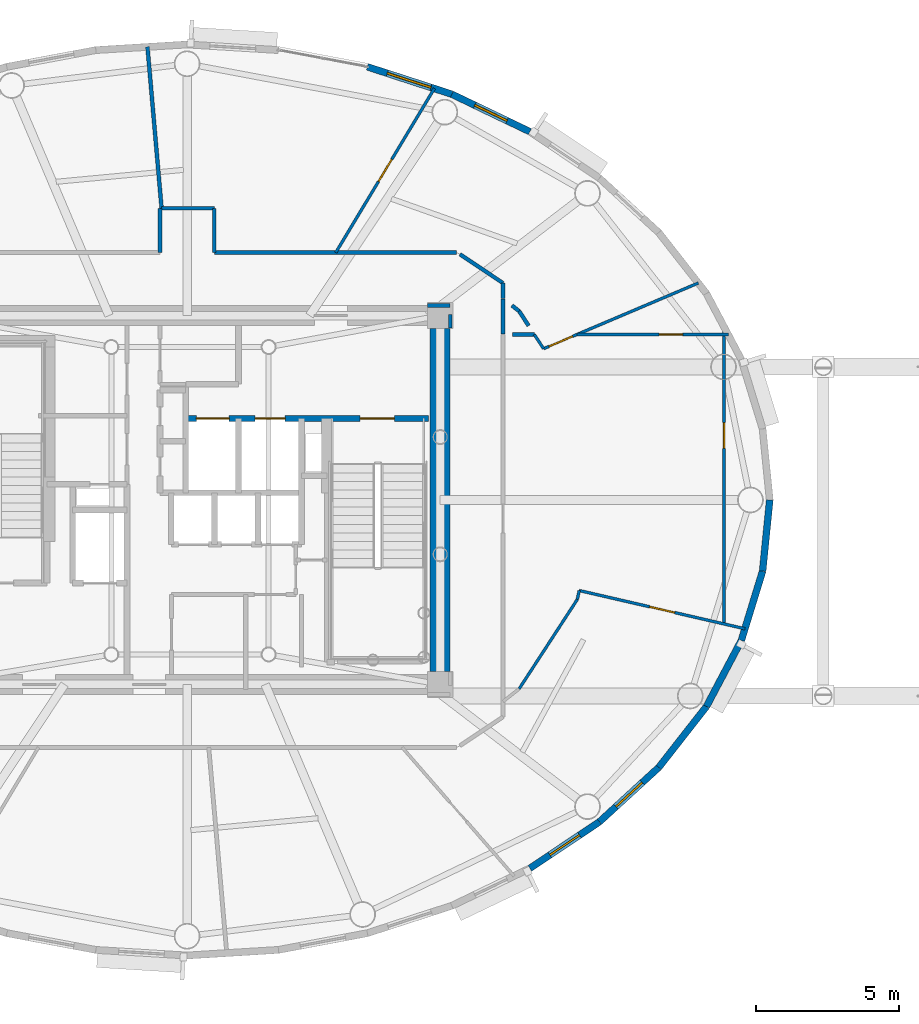
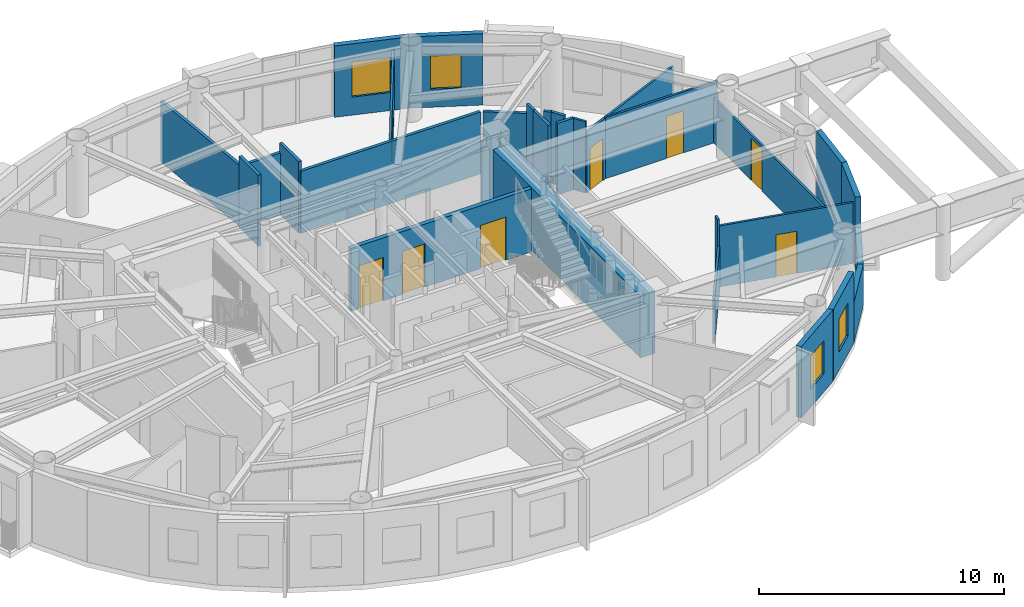
# One storey, part 11 of 19: 31 walls, 8 doors, 4 windows, 12 openings.
"""IFC4 building model written with IfcOpenShell, lengths in metres."""

from ifc_helpers import new_model, si_unit, direction, frame, frame_2d, origin, origin_2d, place, context, subcontext, project, spatial, rectangle, extrude, source, transform, mapped, material, layer, layer_set, type_object, element, fill, save


model = new_model("IFC4")

# Units and contexts
model_context = context("Model", 3, precision=1e-05, world=origin(), true_north=direction((0.0, 1.0)))
body_context = subcontext(model_context, "Body", "Model", "MODEL_VIEW")
ifc_project = project(units=[si_unit("LENGTHUNIT", "METRE"), si_unit("AREAUNIT", "SQUARE_METRE"), si_unit("VOLUMEUNIT", "CUBIC_METRE"), si_unit("PLANEANGLEUNIT", "RADIAN"), si_unit("MASSUNIT", "GRAM", prefix="KILO")], contexts=[model_context])

# Site, building, storey
site_placement = place(None, origin())
site = spatial("IfcSite", under=ifc_project, at=site_placement, CompositionType="ELEMENT")
building_placement = place(site_placement, origin())
building = spatial("IfcBuilding", under=site, at=building_placement, Name="Linh Dai School and Residence Tower", CompositionType="ELEMENT")
storey_placement = place(building_placement, frame((0.0, 0.0, 339.199951171875)))
storey = spatial("IfcBuildingStorey", under=building, at=storey_placement, Name="L84", CompositionType="ELEMENT", Elevation=339.199951171875)

# Wall, opening, window
ifc_material_1 = material(Name="Precast Concrete B45 (C35/45)", Category="concrete")
ifc_layer_1 = layer(ifc_material_1, 0.239990234375)
ifc_layer_set_1 = layer_set([ifc_layer_1], Name="Precast Concrete B45 (C35/45)")
wall_type_1 = type_object("IfcWallType", Name="EW-TC-240", PredefinedType="SOLIDWALL", material=ifc_layer_set_1)
wall_1_placement = place(storey_placement, frame((45.260498046875, 41.18896484375, 0.0), z_axis=(0.0, 0.0, 1.0), x_axis=(0.901557057889, -0.432660226241, 0.0)))
wall_1 = element("IfcWall", 1, at=wall_1_placement, inside=storey, type_object=wall_type_1, Name="L84 Terracotta Exterior Wall 07", PredefinedType="SOLIDWALL", context=body_context, shape_type="SweptSolid", body=[
    extrude(rectangle(XDim=3.025146484375, YDim=0.239990234375, at=frame_2d((1.5126953125, 0.0))), origin(), (0.0, 0.0, 1.0), 3.550048828125),
])
opening_1_placement = place(wall_1_placement, frame((0.887451171875, 0.0, 0.89990234375)))
opening_1 = element("IfcOpeningElement", 2, at=opening_1_placement, cuts=wall_1, Name="Opening W3", PredefinedType="OPENING", context=body_context, shape_type="SweptSolid", body=[
    extrude(rectangle(XDim=1.25, YDim=1.64990234375, at=origin_2d()), frame((0.625, 0.1298828125, 0.824951171875), z_axis=(0.0, -1.0, 0.0), x_axis=(1.0, 0.0, 0.0)), (0.0, 0.0, 1.0), 0.260009765625),
])
ifc_material_2 = material(Name="Double Low-E Insulated Glazing", Category="glass")
window_type_1 = type_object("IfcWindowType", Name="WN-RES-1250x1650", PartitioningType="SINGLE_PANEL", PredefinedType="WINDOW", material=ifc_material_2)
shared_shape_1 = source(origin(), body_context, "Body", "SweptSolid", [
    extrude(rectangle(XDim=1.25, YDim=1.64990234375, at=origin_2d()), frame((0.625, 0.030029296875, 0.824951171875), z_axis=(0.0, -1.0, 0.0), x_axis=(1.0, 0.0, 0.0)), (0.0, 0.0, 1.0), 0.06005859375),
])
window_1_placement = place(opening_1_placement, origin())
window_1 = element("IfcWindow", 3, at=window_1_placement, inside=storey, type_object=window_type_1, Name="L84 Exterior Window 07.1", OverallHeight=1.64990234375, OverallWidth=1.25, PartitioningType="SINGLE_PANEL", PredefinedType="WINDOW", context=body_context, shape_type="MappedRepresentation", body=[
    mapped(shared_shape_1, transform((0.0, 0.0, 0.0), x_axis=(1.0, 0.0, 0.0), y_axis=(0.0, 1.0, 0.0), z_axis=(0.0, 0.0, 1.0), scale=1.0)),
])
fill(opening_1, window_1)

wall_2_placement = place(storey_placement, frame((42.303955078125, 42.14794921875, 0.0), z_axis=(0.0, 0.0, 1.0), x_axis=(0.951212850731, -0.308535431682, 0.0)))
wall_2 = element("IfcWall", 4, at=wall_2_placement, inside=storey, type_object=wall_type_1, Name="L84 Terracotta Exterior Wall 08", PredefinedType="SOLIDWALL", context=body_context, shape_type="SweptSolid", body=[
    extrude(rectangle(XDim=3.108154296875, YDim=0.239990234375, at=frame_2d((1.55419921875, 0.0))), origin(), (0.0, 0.0, 1.0), 3.550048828125),
])
opening_2_placement = place(wall_2_placement, frame((0.734375, 0.0, 0.89990234375)))
opening_2 = element("IfcOpeningElement", 5, at=opening_2_placement, cuts=wall_2, Name="Opening W2", PredefinedType="OPENING", context=body_context, shape_type="SweptSolid", body=[
    extrude(rectangle(XDim=1.60009765625, YDim=1.75, at=origin_2d()), frame((0.800048828125, 0.1298828125, 0.875), z_axis=(0.0, -1.0, 0.0), x_axis=(1.0, 0.0, 0.0)), (0.0, 0.0, 1.0), 0.260009765625),
])
window_type_2 = type_object("IfcWindowType", Name="WN-RES-1600x1750", PartitioningType="DOUBLE_PANEL_VERTICAL", PredefinedType="WINDOW", material=ifc_material_2)
shared_shape_2 = source(origin(), body_context, "Body", "SweptSolid", [
    extrude(rectangle(XDim=1.60009765625, YDim=1.75, at=origin_2d()), frame((0.800048828125, 0.030029296875, 0.875), z_axis=(0.0, -1.0, 0.0), x_axis=(1.0, 0.0, 0.0)), (0.0, 0.0, 1.0), 0.06005859375),
])
window_2_placement = place(opening_2_placement, origin())
window_2 = element("IfcWindow", 6, at=window_2_placement, inside=storey, type_object=window_type_2, Name="L84 Exterior Window 08.1", OverallHeight=1.75, OverallWidth=1.60009765625, PartitioningType="DOUBLE_PANEL_VERTICAL", PredefinedType="WINDOW", context=body_context, shape_type="MappedRepresentation", body=[
    mapped(shared_shape_2, transform((0.0, 0.0, 0.0), x_axis=(1.0, 0.0, 0.0), y_axis=(0.0, 1.0, 0.0), z_axis=(0.0, 0.0, 1.0), scale=1.0)),
])
fill(opening_2, window_2)

wall_3_placement = place(storey_placement, frame((50.418701171875, 15.745849609375, 0.0), z_axis=(0.0, 0.0, 1.0), x_axis=(-0.831201688654, -0.555970999944, 0.0)))
wall_3 = element("IfcWall", 7, at=wall_3_placement, inside=storey, type_object=wall_type_1, Name="L84 Terracotta Exterior Wall 35", PredefinedType="SOLIDWALL", context=body_context, shape_type="SweptSolid", body=[
    extrude(rectangle(XDim=2.924560546875, YDim=0.239990234375, at=frame_2d((1.46240234375, 0.0))), origin(), (0.0, 0.0, 1.0), 3.550048828125),
])
opening_3_placement = place(wall_3_placement, frame((0.83740234375, 0.0, 0.89990234375)))
opening_3 = element("IfcOpeningElement", 8, at=opening_3_placement, cuts=wall_3, Name="Opening W3", PredefinedType="OPENING", context=body_context, shape_type="SweptSolid", body=[
    extrude(rectangle(XDim=1.25, YDim=1.64990234375, at=origin_2d()), frame((0.625, 0.1298828125, 0.824951171875), z_axis=(0.0, -1.0, 0.0), x_axis=(1.0, 0.0, 0.0)), (0.0, 0.0, 1.0), 0.260009765625),
])
window_3_placement = place(opening_3_placement, origin())
window_3 = element("IfcWindow", 9, at=window_3_placement, inside=storey, type_object=window_type_1, Name="L84 Exterior Window 35.1", OverallHeight=1.64990234375, OverallWidth=1.25, PartitioningType="SINGLE_PANEL", PredefinedType="WINDOW", context=body_context, shape_type="MappedRepresentation", body=[
    mapped(shared_shape_1, transform((0.0, 0.0, 0.0), x_axis=(1.0, 0.0, 0.0), y_axis=(0.0, 1.0, 0.0), z_axis=(0.0, 0.0, 1.0), scale=1.0)),
])
fill(opening_3, window_3)

wall_4_placement = place(storey_placement, frame((52.4931640625, 17.648193359375, 0.0), z_axis=(0.0, 0.0, 1.0), x_axis=(-0.737020907932, -0.675869944051, 0.0)))
wall_4 = element("IfcWall", 10, at=wall_4_placement, inside=storey, type_object=wall_type_1, Name="L84 Terracotta Exterior Wall 36", PredefinedType="SOLIDWALL", context=body_context, shape_type="SweptSolid", body=[
    extrude(rectangle(XDim=2.814697265625, YDim=0.239990234375, at=frame_2d((1.4072265625, 0.0))), origin(), (0.0, 0.0, 1.0), 3.550048828125),
])
opening_4_placement = place(wall_4_placement, frame((0.78271484375, 0.0, 0.89990234375)))
opening_4 = element("IfcOpeningElement", 11, at=opening_4_placement, cuts=wall_4, Name="Opening W3", PredefinedType="OPENING", context=body_context, shape_type="SweptSolid", body=[
    extrude(rectangle(XDim=1.25, YDim=1.64990234375, at=origin_2d()), frame((0.625, 0.1298828125, 0.824951171875), z_axis=(0.0, -1.0, 0.0), x_axis=(1.0, 0.0, 0.0)), (0.0, 0.0, 1.0), 0.260009765625),
])
window_4_placement = place(opening_4_placement, origin())
window_4 = element("IfcWindow", 12, at=window_4_placement, inside=storey, type_object=window_type_1, Name="L84 Exterior Window 36.1", OverallHeight=1.64990234375, OverallWidth=1.25, PartitioningType="SINGLE_PANEL", PredefinedType="WINDOW", context=body_context, shape_type="MappedRepresentation", body=[
    mapped(shared_shape_1, transform((0.0, 0.0, 0.0), x_axis=(1.0, 0.0, 0.0), y_axis=(0.0, 1.0, 0.0), z_axis=(0.0, 0.0, 1.0), scale=1.0)),
])
fill(opening_4, window_4)

# Walls
wall_5_placement = place(storey_placement, frame((54.160888671875, 19.779296875, 0.0), z_axis=(0.0, 0.0, 1.0), x_axis=(-0.616286367698, -0.78752213492, 0.0)))
element("IfcWall", 13, at=wall_5_placement, inside=storey, type_object=wall_type_1, Name="L84 Terracotta Exterior Wall 37", PredefinedType="SOLIDWALL", context=body_context, shape_type="SweptSolid", body=[
    extrude(rectangle(XDim=2.7060546875, YDim=0.239990234375, at=frame_2d((1.35302734375, 0.0))), origin(), (0.0, 0.0, 1.0), 2.03515625),
])
wall_6_placement = place(storey_placement, frame((55.381103515625, 22.086669921875, 0.0), z_axis=(0.0, 0.0, 1.0), x_axis=(-0.467487999989, -0.883999417345, 0.0)))
element("IfcWall", 14, at=wall_6_placement, inside=storey, type_object=wall_type_1, Name="L84 Terracotta Exterior Wall 38", PredefinedType="SOLIDWALL", context=body_context, shape_type="SweptSolid", body=[
    extrude(rectangle(XDim=2.610107421875, YDim=0.239990234375, at=frame_2d((1.30517578125, 0.0))), origin(), (0.0, 0.0, 1.0), 2.03515625),
])
wall_7_placement = place(storey_placement, frame((56.125, 24.51318359375, 0.0), z_axis=(0.0, 0.0, 1.0), x_axis=(-0.293105547213, -0.956080089842, 0.0)))
element("IfcWall", 15, at=wall_7_placement, inside=storey, type_object=wall_type_1, Name="L84 Terracotta Exterior Wall 39", PredefinedType="SOLIDWALL", context=body_context, shape_type="SweptSolid", body=[
    extrude(rectangle(XDim=2.5380859375, YDim=0.239990234375, at=frame_2d((1.26904296875, 0.0))), origin(), (0.0, 0.0, 1.0), 3.550048828125),
])
wall_8_placement = place(storey_placement, frame((56.375, 27.0, 0.0), z_axis=(0.0, 0.0, 1.0), x_axis=(-0.100025963401, -0.994984827344, 0.0)))
element("IfcWall", 16, at=wall_8_placement, inside=storey, type_object=wall_type_1, Name="L84 Terracotta Exterior Wall 40", PredefinedType="SOLIDWALL", context=body_context, shape_type="SweptSolid", body=[
    extrude(rectangle(XDim=2.499267578125, YDim=0.239990234375, at=frame_2d((1.24951171875, 0.0))), origin(), (0.0, 0.0, 1.0), 3.550048828125),
])
ifc_material_3 = material(Name="Autoclaved Aerated Concrete Blockwork", Category="masonry")
ifc_layer_2 = layer(ifc_material_3, 0.135009765625)
ifc_layer_set_2 = layer_set([ifc_layer_2], Name="Autoclaved Aerated Concrete Blockwork")
wall_type_2 = type_object("IfcWallType", Name="IW-CORR-135-EI90", PredefinedType="PARTITIONING", material=ifc_layer_set_2)
wall_9_placement = place(storey_placement, frame((34.61328125, 42.849609375, 0.0), z_axis=(0.0, 0.0, 1.0), x_axis=(0.087173892563, -0.996193110022, 0.0)))
element("IfcWall", 17, at=wall_9_placement, inside=storey, type_object=wall_type_2, Name="L84 Interior Partition Wall 029", PredefinedType="PARTITIONING", context=body_context, shape_type="SweptSolid", body=[
    extrude(rectangle(XDim=5.671142578125, YDim=0.135009765625, at=frame_2d((2.83544921875, 0.0))), origin(), (0.0, 0.0, 1.0), 3.03515625),
])
wall_10_placement = place(storey_placement, frame((35.050048828125, 35.64990234375, 0.0), z_axis=(0.0, 0.0, 1.0), x_axis=(0.0, 1.0, 0.0)))
element("IfcWall", 18, at=wall_10_placement, inside=storey, type_object=wall_type_2, Name="L84 Interior Partition Wall 036", PredefinedType="PARTITIONING", context=body_context, shape_type="SweptSolid", body=[
    extrude(rectangle(XDim=1.550048828125, YDim=0.135009765625, at=frame_2d((0.77490234375, 0.0))), origin(), (0.0, 0.0, 1.0), 3.550048828125),
])
wall_11_placement = place(storey_placement, frame((35.107666015625, 37.199951171875, 0.0), z_axis=(0.0, 0.0, 1.0), x_axis=(1.0, 0.0, 0.0)))
element("IfcWall", 19, at=wall_11_placement, inside=storey, type_object=wall_type_2, Name="L84 Interior Partition Wall 037", PredefinedType="PARTITIONING", context=body_context, shape_type="SweptSolid", body=[
    extrude(rectangle(XDim=1.84228515625, YDim=0.135009765625, at=frame_2d((0.921142578125, 0.0))), origin(), (0.0, 0.0, 1.0), 3.0849609375),
])
wall_12_placement = place(storey_placement, frame((36.949951171875, 35.64990234375, 0.0), z_axis=(0.0, 0.0, 1.0), x_axis=(0.0, 1.0, 0.0)))
element("IfcWall", 20, at=wall_12_placement, inside=storey, type_object=wall_type_2, Name="L84 Interior Partition Wall 046", PredefinedType="PARTITIONING", context=body_context, shape_type="SweptSolid", body=[
    extrude(rectangle(XDim=1.550048828125, YDim=0.135009765625, at=frame_2d((0.77490234375, 0.0))), origin(), (0.0, 0.0, 1.0), 3.550048828125),
])
wall_13_placement = place(storey_placement, frame((36.949951171875, 35.64990234375, 0.0), z_axis=(0.0, 0.0, 1.0), x_axis=(1.0, 0.0, 0.0)))
element("IfcWall", 21, at=wall_13_placement, inside=storey, type_object=wall_type_2, Name="L84 Interior Partition Wall 047", PredefinedType="PARTITIONING", context=body_context, shape_type="SweptSolid", body=[
    extrude(rectangle(XDim=8.469970703125, YDim=0.135009765625, at=frame_2d((4.23486328125, 0.0))), origin(), (0.0, 0.0, 1.0), 3.0849609375),
])
wall_14_placement = place(storey_placement, frame((45.541259765625, 35.591796875, 0.0), z_axis=(0.0, 0.0, 1.0), x_axis=(0.831180227396, -0.556003084151, 0.0)))
element("IfcWall", 22, at=wall_14_placement, inside=storey, type_object=wall_type_2, Name="L84 Interior Partition Wall 062", PredefinedType="PARTITIONING", context=body_context, shape_type="SweptSolid", body=[
    extrude(rectangle(XDim=1.815185546875, YDim=0.135009765625, at=frame_2d((0.90771484375, 0.0))), origin(), (0.0, 0.0, 1.0), 3.0849609375),
])
wall_15_placement = place(storey_placement, frame((47.050048828125, 34.0439453125, 0.0), z_axis=(0.0, 0.0, 1.0), x_axis=(0.0, 1.0, 0.0)))
element("IfcWall", 23, at=wall_15_placement, inside=storey, type_object=wall_type_2, Name="L84 Interior Partition Wall 065", PredefinedType="PARTITIONING", context=body_context, shape_type="SweptSolid", body=[
    extrude(rectangle(XDim=0.53857421875, YDim=0.135009765625, at=frame_2d((0.269287109375, 0.0))), origin(), (0.0, 0.0, 1.0), 3.550048828125),
])
wall_16_placement = place(storey_placement, frame((47.050048828125, 34.033935546875, 0.0), z_axis=(0.0, 0.0, 1.0), x_axis=(0.0, -1.0, 0.0)))
element("IfcWall", 24, at=wall_16_placement, inside=storey, type_object=wall_type_2, Name="L84 Interior Partition Wall 077", PredefinedType="PARTITIONING", context=body_context, shape_type="SweptSolid", body=[
    extrude(rectangle(XDim=1.23681640625, YDim=0.135009765625, at=frame_2d((0.618408203125, 0.0))), origin(), (0.0, 0.0, 1.0), 3.550048828125),
])
wall_17_placement = place(storey_placement, frame((45.199951171875, 33.800048828125, 0.0), z_axis=(0.0, 0.0, 1.0), x_axis=(-1.0, 0.0, 0.0)))
element("IfcWall", 25, at=wall_17_placement, inside=storey, type_object=wall_type_2, Name="L84 Interior Partition Wall 078", PredefinedType="PARTITIONING", context=body_context, shape_type="SweptSolid", body=[
    extrude(rectangle(XDim=0.7900390625, YDim=0.135009765625, at=frame_2d((0.39501953125, 0.0))), origin(), (0.0, 0.0, 1.0), 3.0849609375),
])
wall_18_placement = place(storey_placement, frame((45.199951171875, 33.010009765625, 0.0), z_axis=(0.0, 0.0, 1.0), x_axis=(0.0, 1.0, 0.0)))
element("IfcWall", 26, at=wall_18_placement, inside=storey, type_object=wall_type_2, Name="L84 Interior Partition Wall 085", PredefinedType="PARTITIONING", context=body_context, shape_type="SweptSolid", body=[
    extrude(rectangle(XDim=0.482421875, YDim=0.135009765625, at=frame_2d((0.2412109375, 0.0))), origin(), (0.0, 0.0, 1.0), 3.550048828125),
])
wall_19_placement = place(storey_placement, frame((47.37744140625, 32.787109375, 0.0), z_axis=(0.0, 0.0, 1.0), x_axis=(1.0, 0.0, 0.0)))
element("IfcWall", 27, at=wall_19_placement, inside=storey, type_object=wall_type_2, Name="L84 Interior Partition Wall 088", PredefinedType="PARTITIONING", context=body_context, shape_type="SweptSolid", body=[
    extrude(rectangle(XDim=0.7646484375, YDim=0.135009765625, at=frame_2d((0.38232421875, 0.0))), origin(), (0.0, 0.0, 1.0), 3.550048828125),
])
wall_20_placement = place(storey_placement, frame((47.942138671875, 33.094482421875, 0.0), z_axis=(0.0, 0.0, 1.0), x_axis=(-0.545522826825, 0.838095964322, 0.0)))
element("IfcWall", 28, at=wall_20_placement, inside=storey, type_object=wall_type_2, Name="L84 Interior Partition Wall 089", PredefinedType="PARTITIONING", context=body_context, shape_type="SweptSolid", body=[
    extrude(rectangle(XDim=0.610107421875, YDim=0.135009765625, at=frame_2d((0.30517578125, 0.0))), origin(), (0.0, 0.0, 1.0), 3.550048828125),
])
wall_21_placement = place(storey_placement, frame((47.609375, 33.605712890625, 0.0), z_axis=(0.0, 0.0, 1.0), x_axis=(-0.787376183758, 0.616472826043, 0.0)))
element("IfcWall", 29, at=wall_21_placement, inside=storey, type_object=wall_type_2, Name="L84 Interior Partition Wall 090", PredefinedType="PARTITIONING", context=body_context, shape_type="SweptSolid", body=[
    extrude(rectangle(XDim=0.320068359375, YDim=0.135009765625, at=frame_2d((0.16015625, 0.0))), origin(), (0.0, 0.0, 1.0), 3.550048828125),
])

# Wall, openings, doors
ifc_material_4 = material(Name="Concrete B45 (C35/45)", Category="concrete")
ifc_layer_3 = layer(ifc_material_4, 0.199951171875)
ifc_layer_set_3 = layer_set([ifc_layer_3], Name="Concrete B45 (C35/45)")
wall_type_3 = type_object("IfcWallType", Name="IW-SHAFT-200-EI120", PredefinedType="PARTITIONING", material=ifc_layer_set_3)
wall_22_placement = place(storey_placement, frame((35.949951171875, 29.85009765625, 0.0), z_axis=(0.0, 0.0, 1.0), x_axis=(1.0, 0.0, 0.0)))
wall_22 = element("IfcWall", 30, at=wall_22_placement, inside=storey, type_object=wall_type_3, Name="L84 Interior Partition Wall 043", PredefinedType="PARTITIONING", context=body_context, shape_type="SweptSolid", body=[
    extrude(rectangle(XDim=8.489990234375, YDim=0.199951171875, at=frame_2d((4.2451171875, 0.0))), origin(), (0.0, 0.0, 1.0), 3.135009765625),
])
opening_5_placement = place(wall_22_placement, frame((6.10009765625, 0.0, 0.0)))
opening_5 = element("IfcOpeningElement", 31, at=opening_5_placement, cuts=wall_22, Name="Opening D01", PredefinedType="OPENING", context=body_context, shape_type="SweptSolid", body=[
    extrude(rectangle(XDim=1.199951171875, YDim=2.14990234375, at=origin_2d()), frame((0.60009765625, 0.10986328125, 1.074951171875), z_axis=(0.0, -1.0, 0.0), x_axis=(1.0, 0.0, 0.0)), (0.0, 0.0, 1.0), 0.219970703125),
])
opening_6_placement = place(wall_22_placement, frame((0.3701171875, 0.0, 0.0)))
opening_6 = element("IfcOpeningElement", 32, at=opening_6_placement, cuts=wall_22, Name="Opening LD-FF1", PredefinedType="OPENING", context=body_context, shape_type="SweptSolid", body=[
    extrude(rectangle(XDim=1.14990234375, YDim=2.14990234375, at=origin_2d()), frame((0.574951171875, 0.10986328125, 1.074951171875), z_axis=(0.0, -1.0, 0.0), x_axis=(1.0, 0.0, 0.0)), (0.0, 0.0, 1.0), 0.219970703125),
])
opening_7_placement = place(wall_22_placement, frame((2.425048828125, 0.0, 0.0)))
opening_7 = element("IfcOpeningElement", 33, at=opening_7_placement, cuts=wall_22, Name="Opening LD-SV1", PredefinedType="OPENING", context=body_context, shape_type="SweptSolid", body=[
    extrude(rectangle(XDim=1.050048828125, YDim=2.14990234375, at=origin_2d()), frame((0.52490234375, 0.10986328125, 1.074951171875), z_axis=(0.0, -1.0, 0.0), x_axis=(1.0, 0.0, 0.0)), (0.0, 0.0, 1.0), 0.219970703125),
])
ifc_material_5 = material(Name="Fire-Rated Steel Door Leaf", Category="steel")
door_type_1 = type_object("IfcDoorType", Name="DR-STAIR-1200x2150-FD90S", OperationType="NOTDEFINED", PredefinedType="DOOR", material=ifc_material_5)
shared_shape_3 = source(origin(), body_context, "Body", "SweptSolid", [
    extrude(rectangle(XDim=1.199951171875, YDim=2.14990234375, at=origin_2d()), frame((0.60009765625, 0.02490234375, 1.074951171875), z_axis=(0.0, -1.0, 0.0), x_axis=(1.0, 0.0, 0.0)), (0.0, 0.0, 1.0), 0.050048828125),
])
door_1_placement = place(opening_5_placement, origin())
door_1 = element("IfcDoor", 34, at=door_1_placement, inside=storey, type_object=door_type_1, Name="L84 Core Smokeproof Exit Stair ST2 Door", OperationType="SINGLE_SWING_LEFT", OverallHeight=2.14990234375, OverallWidth=1.199951171875, PredefinedType="DOOR", context=body_context, shape_type="MappedRepresentation", body=[
    mapped(shared_shape_3, transform((0.0, 0.0, 0.0), x_axis=(1.0, 0.0, 0.0), y_axis=(0.0, 1.0, 0.0), z_axis=(0.0, 0.0, 1.0), scale=1.0)),
])
fill(opening_5, door_1)
ifc_material_6 = material(Name="Fire-Rated Stainless Steel Firefighting Lift Door", Category="steel")
door_type_2 = type_object("IfcDoorType", Name="DR-LD-FF-1150x2150-FD120", OperationType="DOUBLE_DOOR_SLIDING", PredefinedType="USERDEFINED", material=ifc_material_6)
shared_shape_4 = source(origin(), body_context, "Body", "SweptSolid", [
    extrude(rectangle(XDim=1.14990234375, YDim=2.14990234375, at=origin_2d()), frame((0.574951171875, 0.02490234375, 1.074951171875), z_axis=(0.0, -1.0, 0.0), x_axis=(1.0, 0.0, 0.0)), (0.0, 0.0, 1.0), 0.050048828125),
])
door_2_placement = place(opening_6_placement, origin())
door_2 = element("IfcDoor", 35, at=door_2_placement, inside=storey, type_object=door_type_2, Name="L84 Lift FF1 Sliding Landing Door", ObjectType="LANDING DOOR", OperationType="DOUBLE_DOOR_SLIDING", OverallHeight=2.14990234375, OverallWidth=1.14990234375, PredefinedType="USERDEFINED", context=body_context, shape_type="MappedRepresentation", body=[
    mapped(shared_shape_4, transform((0.0, 0.0, 0.0), x_axis=(1.0, 0.0, 0.0), y_axis=(0.0, 1.0, 0.0), z_axis=(0.0, 0.0, 1.0), scale=1.0)),
])
fill(opening_6, door_2)
ifc_material_7 = material(Name="Brushed Stainless Steel Lift Landing Door", Category="steel")
door_type_3 = type_object("IfcDoorType", Name="DR-LD-PASS-1050x2150", OperationType="DOUBLE_DOOR_SLIDING", PredefinedType="USERDEFINED", material=ifc_material_7)
shared_shape_5 = source(origin(), body_context, "Body", "SweptSolid", [
    extrude(rectangle(XDim=1.050048828125, YDim=2.14990234375, at=origin_2d()), frame((0.52490234375, 0.02490234375, 1.074951171875), z_axis=(0.0, -1.0, 0.0), x_axis=(1.0, 0.0, 0.0)), (0.0, 0.0, 1.0), 0.050048828125),
])
door_3_placement = place(opening_7_placement, origin())
door_3 = element("IfcDoor", 36, at=door_3_placement, inside=storey, type_object=door_type_3, Name="L84 Lift SV1 Sliding Landing Door", ObjectType="LANDING DOOR", OperationType="DOUBLE_DOOR_SLIDING", OverallHeight=2.14990234375, OverallWidth=1.050048828125, PredefinedType="USERDEFINED", context=body_context, shape_type="MappedRepresentation", body=[
    mapped(shared_shape_5, transform((0.0, 0.0, 0.0), x_axis=(1.0, 0.0, 0.0), y_axis=(0.0, 1.0, 0.0), z_axis=(0.0, 0.0, 1.0), scale=1.0)),
])
fill(opening_7, door_3)

# Wall, opening, door
ifc_material_8 = material(Name="Gypsum Plasterboard Acoustic Stud Partition", Category="masonry")
ifc_layer_4 = layer(ifc_material_8, 0.10009765625)
ifc_layer_set_4 = layer_set([ifc_layer_4], Name="Gypsum Plasterboard Acoustic Stud Partition")
wall_type_4 = type_object("IfcWallType", Name="IW-UNIT-100", PredefinedType="PARTITIONING", material=ifc_layer_set_4)
wall_23_placement = place(storey_placement, frame((41.197509765625, 35.64990234375, 0.0), z_axis=(0.0, 0.0, 1.0), x_axis=(0.515036887737, 0.857168014026, 0.0)))
wall_23 = element("IfcWall", 37, at=wall_23_placement, inside=storey, type_object=wall_type_4, Name="L84 Interior Partition Wall 059", PredefinedType="PARTITIONING", context=body_context, shape_type="SweptSolid", body=[
    extrude(rectangle(XDim=6.699951171875, YDim=0.10009765625, at=frame_2d((3.35009765625, 0.0))), origin(), (0.0, 0.0, 1.0), 3.03515625),
])
opening_8_placement = place(wall_23_placement, frame((2.89990234375, 0.0, 0.0)))
opening_8 = element("IfcOpeningElement", 38, at=opening_8_placement, cuts=wall_23, Name="Opening D05", PredefinedType="OPENING", context=body_context, shape_type="SweptSolid", body=[
    extrude(rectangle(XDim=0.89990234375, YDim=2.10009765625, at=origin_2d()), frame((0.449951171875, 0.06005859375, 1.050048828125), z_axis=(0.0, -1.0, 0.0), x_axis=(1.0, 0.0, 0.0)), (0.0, 0.0, 1.0), 0.1201171875),
])
ifc_material_9 = material(Name="Engineered Timber Internal Door", Category="wood")
door_type_4 = type_object("IfcDoorType", Name="DR-INT-900x2100", OperationType="NOTDEFINED", PredefinedType="DOOR", material=ifc_material_9)
shared_shape_6 = source(origin(), body_context, "Body", "SweptSolid", [
    extrude(rectangle(XDim=0.89990234375, YDim=2.10009765625, at=origin_2d()), frame((0.449951171875, 0.02490234375, 1.050048828125), z_axis=(0.0, -1.0, 0.0), x_axis=(1.0, 0.0, 0.0)), (0.0, 0.0, 1.0), 0.050048828125),
])
door_4_placement = place(opening_8_placement, origin())
door_4 = element("IfcDoor", 39, at=door_4_placement, inside=storey, type_object=door_type_4, Name="L84 Apartment U8402 Principal Bedroom 4 Door", OperationType="SINGLE_SWING_RIGHT", OverallHeight=2.10009765625, OverallWidth=0.89990234375, PredefinedType="DOOR", context=body_context, shape_type="MappedRepresentation", body=[
    mapped(shared_shape_6, transform((0.0, 0.0, 0.0), x_axis=(1.0, 0.0, 0.0), y_axis=(0.0, 1.0, 0.0), z_axis=(0.0, 0.0, 1.0), scale=1.0)),
])
fill(opening_8, door_4)

# Walls
wall_24_placement = place(storey_placement, frame((47.609375, 20.394287109375, 0.0), z_axis=(0.0, 0.0, 1.0), x_axis=(0.545364838352, 0.838198778983, 0.0)))
element("IfcWall", 40, at=wall_24_placement, inside=storey, type_object=wall_type_4, Name="L84 Interior Partition Wall 066", PredefinedType="PARTITIONING", context=body_context, shape_type="SweptSolid", body=[
    extrude(rectangle(XDim=3.737548828125, YDim=0.10009765625, at=frame_2d((1.86865234375, 0.0))), origin(), (0.0, 0.0, 1.0), 2.25),
])
wall_25_placement = place(storey_placement, frame((48.14208984375, 32.787109375, 0.0), z_axis=(0.0, 0.0, 1.0), x_axis=(0.545336289771, -0.838217353112, 0.0)))
element("IfcWall", 41, at=wall_25_placement, inside=storey, type_object=wall_type_4, Name="L84 Interior Partition Wall 067", PredefinedType="PARTITIONING", context=body_context, shape_type="SweptSolid", body=[
    extrude(rectangle(XDim=0.591796875, YDim=0.10009765625, at=frame_2d((0.2958984375, 0.0))), origin(), (0.0, 0.0, 1.0), 3.550048828125),
])

# Wall, opening, door
wall_26_placement = place(storey_placement, frame((48.46484375, 32.291015625, 0.0), z_axis=(0.0, 0.0, 1.0), x_axis=(0.920507145492, 0.390725728739, 0.0)))
wall_26 = element("IfcWall", 42, at=wall_26_placement, inside=storey, type_object=wall_type_4, Name="L84 Interior Partition Wall 068", PredefinedType="PARTITIONING", context=body_context, shape_type="SweptSolid", body=[
    extrude(rectangle(XDim=5.881591796875, YDim=0.10009765625, at=frame_2d((2.94091796875, 0.0))), origin(), (0.0, 0.0, 1.0), 3.03515625),
])
opening_9_placement = place(wall_26_placement, frame((0.204833984375, 0.0, 0.0)))
opening_9 = element("IfcOpeningElement", 43, at=opening_9_placement, cuts=wall_26, Name="Opening D05", PredefinedType="OPENING", context=body_context, shape_type="SweptSolid", body=[
    extrude(rectangle(XDim=0.89990234375, YDim=2.10009765625, at=origin_2d()), frame((0.449951171875, 0.06005859375, 1.050048828125), z_axis=(0.0, -1.0, 0.0), x_axis=(1.0, 0.0, 0.0)), (0.0, 0.0, 1.0), 0.1201171875),
])
door_5_placement = place(opening_9_placement, origin())
door_5 = element("IfcDoor", 44, at=door_5_placement, inside=storey, type_object=door_type_4, Name="L84 Apartment U8402 Principal Bedroom 3 Door", OperationType="SINGLE_SWING_LEFT", OverallHeight=2.10009765625, OverallWidth=0.89990234375, PredefinedType="DOOR", context=body_context, shape_type="MappedRepresentation", body=[
    mapped(shared_shape_6, transform((0.0, 0.0, 0.0), x_axis=(1.0, 0.0, 0.0), y_axis=(0.0, 1.0, 0.0), z_axis=(0.0, 0.0, 1.0), scale=1.0)),
])
fill(opening_9, door_5)

wall_27_placement = place(storey_placement, frame((49.63427734375, 32.787109375, 0.0), z_axis=(0.0, 0.0, 1.0), x_axis=(1.0, 0.0, 0.0)))
wall_27 = element("IfcWall", 45, at=wall_27_placement, inside=storey, type_object=wall_type_4, Name="L84 Interior Partition Wall 069", PredefinedType="PARTITIONING", context=body_context, shape_type="SweptSolid", body=[
    extrude(rectangle(XDim=5.29052734375, YDim=0.10009765625, at=frame_2d((2.645263671875, 0.0))), origin(), (0.0, 0.0, 1.0), 3.03515625),
])
opening_10_placement = place(wall_27_placement, frame((2.869873046875, 0.0, 0.0)))
opening_10 = element("IfcOpeningElement", 46, at=opening_10_placement, cuts=wall_27, Name="Opening D06", PredefinedType="OPENING", context=body_context, shape_type="SweptSolid", body=[
    extrude(rectangle(XDim=0.820068359375, YDim=2.10009765625, at=origin_2d()), frame((0.41015625, 0.06005859375, 1.050048828125), z_axis=(0.0, -1.0, 0.0), x_axis=(1.0, 0.0, 0.0)), (0.0, 0.0, 1.0), 0.1201171875),
])
ifc_material_10 = material(Name="Moisture-Resistant Timber Bathroom Door", Category="wood")
door_type_5 = type_object("IfcDoorType", Name="DR-WET-820x2100", OperationType="NOTDEFINED", PredefinedType="DOOR", material=ifc_material_10)
shared_shape_7 = source(origin(), body_context, "Body", "SweptSolid", [
    extrude(rectangle(XDim=0.820068359375, YDim=2.10009765625, at=origin_2d()), frame((0.41015625, 0.02490234375, 1.050048828125), z_axis=(0.0, -1.0, 0.0), x_axis=(1.0, 0.0, 0.0)), (0.0, 0.0, 1.0), 0.050048828125),
])
door_6_placement = place(opening_10_placement, origin())
door_6 = element("IfcDoor", 47, at=door_6_placement, inside=storey, type_object=door_type_5, Name="L84 Apartment U8402 Bathroom 1 Door", OperationType="SINGLE_SWING_LEFT", OverallHeight=2.10009765625, OverallWidth=0.820068359375, PredefinedType="DOOR", context=body_context, shape_type="MappedRepresentation", body=[
    mapped(shared_shape_7, transform((0.0, 0.0, 0.0), x_axis=(1.0, 0.0, 0.0), y_axis=(0.0, 1.0, 0.0), z_axis=(0.0, 0.0, 1.0), scale=1.0)),
])
fill(opening_10, door_6)

# Wall
wall_28_placement = place(storey_placement, frame((49.647705078125, 23.527099609375, 0.0), z_axis=(0.0, 0.0, 1.0), x_axis=(0.198359507495, 0.980129331153, 0.0)))
element("IfcWall", 48, at=wall_28_placement, inside=storey, type_object=wall_type_4, Name="L84 Interior Partition Wall 070", PredefinedType="PARTITIONING", context=body_context, shape_type="SweptSolid", body=[
    extrude(rectangle(XDim=0.31396484375, YDim=0.10009765625, at=frame_2d((0.156982421875, 0.0))), origin(), (0.0, 0.0, 1.0), 3.550048828125),
])

# Wall, opening, door
wall_29_placement = place(storey_placement, frame((49.7099609375, 23.834716796875, 0.0), z_axis=(0.0, 0.0, 1.0), x_axis=(0.974373225384, -0.224937363847, 0.0)))
wall_29 = element("IfcWall", 49, at=wall_29_placement, inside=storey, type_object=wall_type_4, Name="L84 Interior Partition Wall 071", PredefinedType="PARTITIONING", context=body_context, shape_type="SweptSolid", body=[
    extrude(rectangle(XDim=5.954345703125, YDim=0.10009765625, at=frame_2d((2.97705078125, 0.0))), origin(), (0.0, 0.0, 1.0), 3.03515625),
])
opening_11_placement = place(wall_29_placement, frame((2.527099609375, 0.0, 0.0)))
opening_11 = element("IfcOpeningElement", 50, at=opening_11_placement, cuts=wall_29, Name="Opening D05", PredefinedType="OPENING", context=body_context, shape_type="SweptSolid", body=[
    extrude(rectangle(XDim=0.89990234375, YDim=2.10009765625, at=origin_2d()), frame((0.449951171875, 0.06005859375, 1.050048828125), z_axis=(0.0, -1.0, 0.0), x_axis=(1.0, 0.0, 0.0)), (0.0, 0.0, 1.0), 0.1201171875),
])
door_7_placement = place(opening_11_placement, origin())
door_7 = element("IfcDoor", 51, at=door_7_placement, inside=storey, type_object=door_type_4, Name="L84 Apartment U8402 Principal Bedroom 2 Door", OperationType="SINGLE_SWING_RIGHT", OverallHeight=2.10009765625, OverallWidth=0.89990234375, PredefinedType="DOOR", context=body_context, shape_type="MappedRepresentation", body=[
    mapped(shared_shape_6, transform((0.0, 0.0, 0.0), x_axis=(1.0, 0.0, 0.0), y_axis=(0.0, 1.0, 0.0), z_axis=(0.0, 0.0, 1.0), scale=1.0)),
])
fill(opening_11, door_7)

wall_30_placement = place(storey_placement, frame((54.778076171875, 22.664794921875, 0.0), z_axis=(0.0, 0.0, 1.0), x_axis=(0.0, 1.0, 0.0)))
wall_30 = element("IfcWall", 52, at=wall_30_placement, inside=storey, type_object=wall_type_4, Name="L84 Interior Partition Wall 072", PredefinedType="PARTITIONING", context=body_context, shape_type="SweptSolid", body=[
    extrude(rectangle(XDim=10.399658203125, YDim=0.10009765625, at=frame_2d((5.19970703125, 0.0))), origin(), (0.0, 0.0, 1.0), 2.25),
])
opening_12_placement = place(wall_30_placement, frame((6.138916015625, 0.0, 0.0)))
opening_12 = element("IfcOpeningElement", 53, at=opening_12_placement, cuts=wall_30, Name="Opening D05", PredefinedType="OPENING", context=body_context, shape_type="SweptSolid", body=[
    extrude(rectangle(XDim=0.89990234375, YDim=2.10009765625, at=origin_2d()), frame((0.449951171875, 0.06005859375, 1.050048828125), z_axis=(0.0, -1.0, 0.0), x_axis=(1.0, 0.0, 0.0)), (0.0, 0.0, 1.0), 0.1201171875),
])
door_8_placement = place(opening_12_placement, origin())
door_8 = element("IfcDoor", 54, at=door_8_placement, inside=storey, type_object=door_type_4, Name="L84 Apartment U8402 Kitchen Door", OperationType="SINGLE_SWING_RIGHT", OverallHeight=2.10009765625, OverallWidth=0.89990234375, PredefinedType="DOOR", context=body_context, shape_type="MappedRepresentation", body=[
    mapped(shared_shape_6, transform((0.0, 0.0, 0.0), x_axis=(1.0, 0.0, 0.0), y_axis=(0.0, 1.0, 0.0), z_axis=(0.0, 0.0, 1.0), scale=1.0)),
])
fill(opening_12, door_8)

# Wall
ifc_layer_5 = layer(ifc_material_4, 0.699951171875)
ifc_layer_set_5 = layer_set([ifc_layer_5], Name="Concrete B45 (C35/45)")
wall_type_5 = type_object("IfcWallType", Name="WL-CORE700", PredefinedType="SHEAR", material=ifc_layer_set_5)
wall_31_placement = place(storey_placement, frame((44.85009765625, 33.0, 0.0), z_axis=(0.0, 0.0, 1.0), x_axis=(0.0, -1.0, 0.0)))
element("IfcWall", 55, at=wall_31_placement, inside=storey, type_object=wall_type_5, Name="L84 Central Core Shear Wall E", PredefinedType="SHEAR", context=body_context, shape_type="SweptSolid", body=[
    extrude(rectangle(XDim=12.0, YDim=0.699951171875, at=frame_2d((6.0, 0.0))), origin(), (0.0, 0.0, 1.0), 3.10009765625),
])

save(model, "model.ifc")
